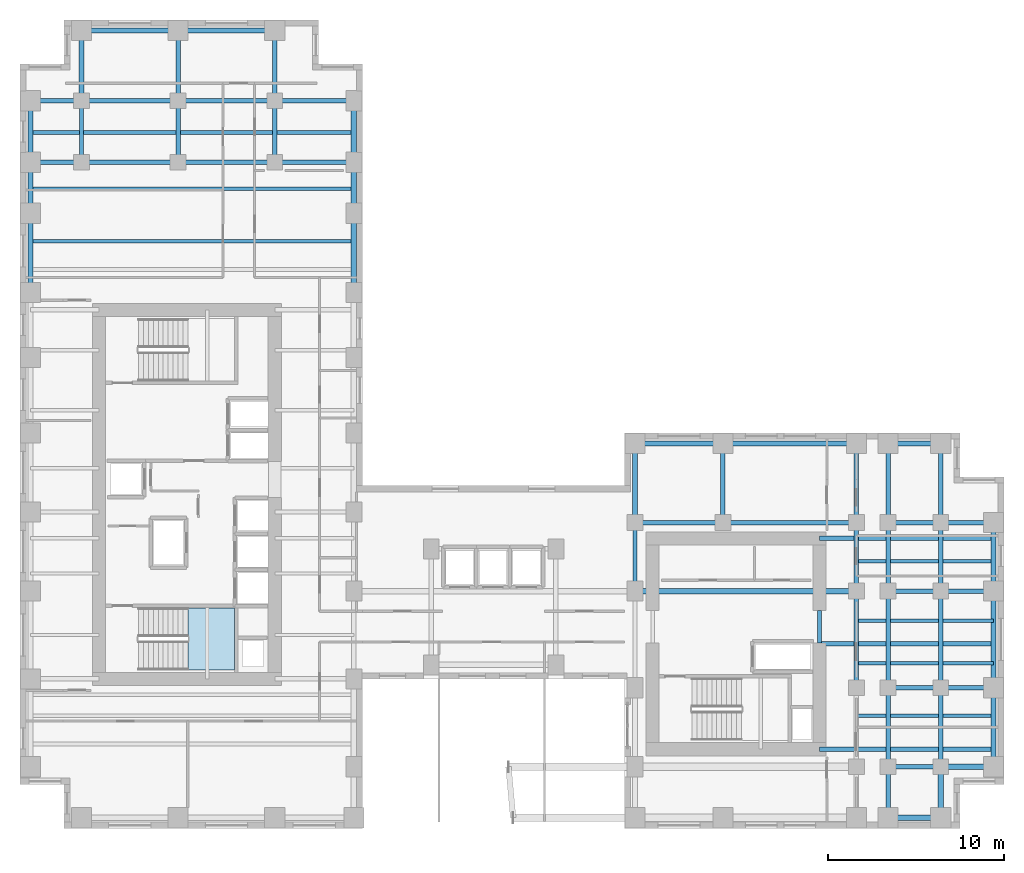
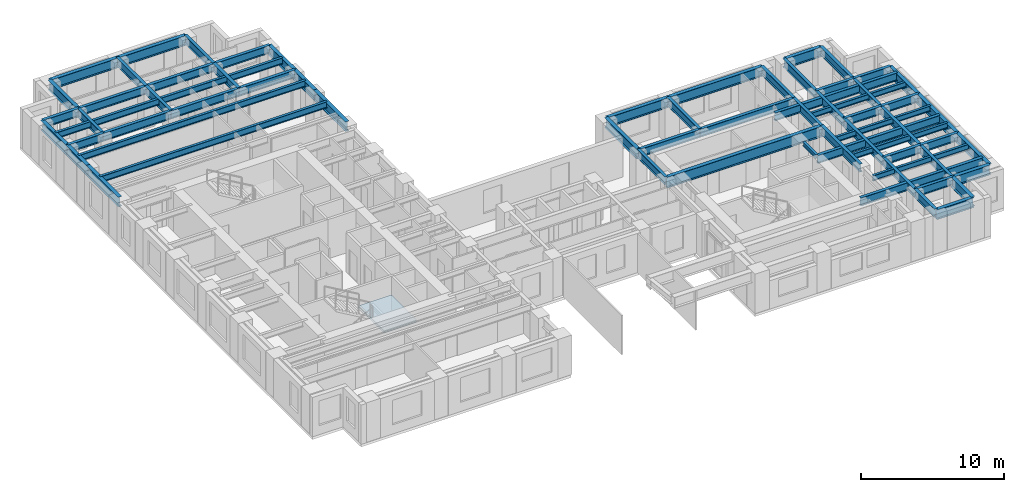
# One storey, part 4 of 14: 67 beams, 1 slab, 1 element without a shape of its own.
"""IFC4 building model written with IfcOpenShell, lengths in metres."""

from ifc_helpers import new_model, si_unit, direction, frame, origin, origin_2d, place, context, subcontext, project, spatial, polyline, i_section, outline, extrude, source, transform, mapped, material, layer, layer_set, material_profile, profile_set, type_object, element, aggregate, save


model = new_model("IFC4")

# Units and contexts
model_context = context("Model", 3, precision=1e-05, world=origin(), true_north=direction((0.0, 1.0)))
body_context = subcontext(model_context, "Body", "Model", "MODEL_VIEW")
ifc_project = project(units=[si_unit("LENGTHUNIT", "METRE"), si_unit("AREAUNIT", "SQUARE_METRE"), si_unit("VOLUMEUNIT", "CUBIC_METRE"), si_unit("PLANEANGLEUNIT", "RADIAN"), si_unit("MASSUNIT", "GRAM", prefix="KILO")], contexts=[model_context])

# Site, building, storey
site_placement = place(None, origin())
site = spatial("IfcSite", under=ifc_project, at=site_placement, CompositionType="ELEMENT")
building_placement = place(site_placement, origin())
building = spatial("IfcBuilding", under=site, at=building_placement, Name="Kharzan Plaza Tower", CompositionType="ELEMENT")
storey_placement = place(building_placement, frame((0.0, 0.0, 88.199951171875)))
storey = spatial("IfcBuildingStorey", under=building, at=storey_placement, Name="L23", CompositionType="ELEMENT", Elevation=88.199951171875)

# Beams
ifc_material_1 = material(Name="Steel S355", Category="steel")
ifc_material_profile_1 = material_profile(ifc_material_1, i_section(OverallWidth=0.205078125, OverallDepth=0.35400390625, WebThickness=0.009521484375, FlangeThickness=0.016845703125, at=origin_2d()), Name="W360x79")
ifc_profile_set_1 = profile_set([ifc_material_profile_1], Name="Steel S355")
beam_type_1 = type_object("IfcBeamType", Name="BM-LNT360", PredefinedType="LINTEL", material=ifc_profile_set_1)
shared_shape_1 = source(origin(), body_context, "Body", "SweptSolid", [
    extrude(i_section(OverallWidth=0.205078125, OverallDepth=0.35400390625, WebThickness=0.009521484375, FlangeThickness=0.016845703125, at=origin_2d()), origin(), (0.0, 0.0, 1.0), 1.849853515625),
])
beam_1_placement = place(storey_placement, frame((45.5, 10.550048828125, 3.203125), z_axis=(0.0, 1.0, 0.0), x_axis=(-1.0, 0.0, 0.0)))
element("IfcBeam", 1, at=beam_1_placement, inside=storey, type_object=beam_type_1, Name="L23 CORE-B coupling lintel LN1-WE", PredefinedType="LINTEL", context=body_context, shape_type="MappedRepresentation", body=[
    mapped(shared_shape_1, transform((0.0, 0.0, 0.0), x_axis=(1.0, 0.0, 0.0), y_axis=(0.0, 1.0, 0.0), z_axis=(0.0, 0.0, 1.0))),
])
ifc_material_profile_2 = material_profile(ifc_material_1, i_section(OverallWidth=0.304931640625, OverallDepth=0.9189453125, WebThickness=0.017333984375, FlangeThickness=0.02783203125, at=origin_2d()), Name="W920x253")
ifc_profile_set_2 = profile_set([ifc_material_profile_2], Name="Steel S355")
beam_type_2 = type_object("IfcBeamType", Name="BM-FG920B", PredefinedType="BEAM", material=ifc_profile_set_2)
shared_shape_2 = source(origin(), body_context, "Body", "SweptSolid", [
    extrude(i_section(OverallWidth=0.304931640625, OverallDepth=0.9189453125, WebThickness=0.017333984375, FlangeThickness=0.02783203125, at=origin_2d()), origin(), (0.0, 0.0, 1.0), 12.60009765625),
])
beam_2_placement = place(storey_placement, frame((35.0, 13.5, 2.920654296875), z_axis=(1.0, 0.0, 0.0), x_axis=(0.0, 1.0, 0.0)))
element("IfcBeam", 2, at=beam_2_placement, inside=storey, type_object=beam_type_2, Name="L23 Primary Floor Girder", PredefinedType="BEAM", context=body_context, shape_type="MappedRepresentation", body=[
    mapped(shared_shape_2, transform((0.0, 0.0, 0.0), x_axis=(1.0, 0.0, 0.0), y_axis=(0.0, 1.0, 0.0), z_axis=(0.0, 0.0, 1.0))),
])
ifc_material_profile_3 = material_profile(ifc_material_1, i_section(OverallWidth=0.2099609375, OverallDepth=0.537109375, WebThickness=0.010986328125, FlangeThickness=0.017333984375, at=origin_2d()), Name="W530x101")
ifc_profile_set_3 = profile_set([ifc_material_profile_3], Name="Steel S355")
beam_type_3 = type_object("IfcBeamType", Name="BM-JST530B", PredefinedType="JOIST", material=ifc_profile_set_3)
shared_shape_3 = source(origin(), body_context, "Body", "SweptSolid", [
    extrude(i_section(OverallWidth=0.2099609375, OverallDepth=0.537109375, WebThickness=0.010986328125, FlangeThickness=0.017333984375, at=origin_2d()), origin(), (0.0, 0.0, 1.0), 18.39990234375),
])
for number, where, z_axis, x_axis, name in (
    (3, (0.60009765625, 33.39990234375, 3.111572265625), (1.0, 0.0, 0.0), (0.0, 1.0, 0.0), "L23 Wing A Composite Joist 05"),
    (4, (0.60009765625, 36.39990234375, 3.111572265625), (1.0, 0.0, 0.0), (0.0, 1.0, 0.0), "L23 Wing A Composite Joist 06"),
    (5, (0.60009765625, 39.60009765625, 3.111572265625), (1.0, 0.0, 0.0), (0.0, 1.0, 0.0), "L23 Wing A Composite Joist 07"),
):
    element("IfcBeam", number, at=place(storey_placement, frame(where, z_axis=z_axis, x_axis=x_axis)), inside=storey, type_object=beam_type_3, Name=name, PredefinedType="JOIST", context=body_context, shape_type="MappedRepresentation", body=[
        mapped(shared_shape_3, transform((0.0, 0.0, 0.0), x_axis=(1.0, 0.0, 0.0), y_axis=(0.0, 1.0, 0.0), z_axis=(0.0, 0.0, 1.0))),
    ])
ifc_material_profile_4 = material_profile(ifc_material_1, i_section(OverallWidth=0.25390625, OverallDepth=0.68798828125, WebThickness=0.01318359375, FlangeThickness=0.02099609375, at=origin_2d()), Name="W690x152")
ifc_profile_set_4 = profile_set([ifc_material_profile_4], Name="Steel S355")
beam_type_4 = type_object("IfcBeamType", Name="BM-FG690B", PredefinedType="BEAM", material=ifc_profile_set_4)
shared_shape_4 = source(origin(), body_context, "Body", "SweptSolid", [
    extrude(i_section(OverallWidth=0.25390625, OverallDepth=0.68798828125, WebThickness=0.01318359375, FlangeThickness=0.02099609375, at=origin_2d()), origin(), (0.0, 0.0, 1.0), 4.5),
])
for number, where, z_axis, x_axis, name in (
    (6, (40.0, 17.39990234375, 3.0361328125), (0.0, 1.0, 0.0), (-1.0, 0.0, 0.0), "L23 Interior Frame Girder"),
    (7, (47.60009765625, 17.39990234375, 3.0361328125), (0.0, 1.0, 0.0), (-1.0, 0.0, 0.0), "L23 Interior Frame Girder"),
    (8, (49.39990234375, 3.5, 3.0361328125), (0.0, 1.0, 0.0), (-1.0, 0.0, 0.0), "L23 Interior Frame Girder"),
    (9, (49.39990234375, 17.39990234375, 3.0361328125), (0.0, 1.0, 0.0), (-1.0, 0.0, 0.0), "L23 Interior Frame Girder"),
    (10, (52.39990234375, 3.5, 3.0361328125), (0.0, 1.0, 0.0), (-1.0, 0.0, 0.0), "L23 Interior Frame Girder"),
    (11, (52.39990234375, 17.39990234375, 3.0361328125), (0.0, 1.0, 0.0), (-1.0, 0.0, 0.0), "L23 Interior Frame Girder"),
    (12, (14.5, 37.89990234375, 3.0361328125), (1.0, 0.0, 0.0), (0.0, 1.0, 0.0), "L23 Primary Floor Girder"),
    (13, (14.5, 41.39990234375, 3.0361328125), (1.0, 0.0, 0.0), (0.0, 1.0, 0.0), "L23 Primary Floor Girder"),
):
    element("IfcBeam", number, at=place(storey_placement, frame(where, z_axis=z_axis, x_axis=x_axis)), inside=storey, type_object=beam_type_4, Name=name, PredefinedType="BEAM", context=body_context, shape_type="MappedRepresentation", body=[
        mapped(shared_shape_4, transform((0.0, 0.0, 0.0), x_axis=(1.0, 0.0, 0.0), y_axis=(0.0, 1.0, 0.0), z_axis=(0.0, 0.0, 1.0))),
    ])
shared_shape_5 = source(origin(), body_context, "Body", "SweptSolid", [
    extrude(i_section(OverallWidth=0.25390625, OverallDepth=0.68798828125, WebThickness=0.01318359375, FlangeThickness=0.02099609375, at=origin_2d()), origin(), (0.0, 0.0, 1.0), 3.89990234375),
])
for number, where, z_axis, x_axis, name in (
    (14, (35.0, 13.5, 3.0361328125), (0.0, 1.0, 0.0), (-1.0, 0.0, 0.0), "L23 Interior Frame Girder"),
    (15, (47.60009765625, 13.5, 3.0361328125), (0.0, 1.0, 0.0), (-1.0, 0.0, 0.0), "L23 Interior Frame Girder"),
    (16, (49.39990234375, 13.5, 3.0361328125), (0.0, 1.0, 0.0), (-1.0, 0.0, 0.0), "L23 Interior Frame Girder"),
    (17, (52.39990234375, 13.5, 3.0361328125), (0.0, 1.0, 0.0), (-1.0, 0.0, 0.0), "L23 Interior Frame Girder"),
):
    element("IfcBeam", number, at=place(storey_placement, frame(where, z_axis=z_axis, x_axis=x_axis)), inside=storey, type_object=beam_type_4, Name=name, PredefinedType="BEAM", context=body_context, shape_type="MappedRepresentation", body=[
        mapped(shared_shape_5, transform((0.0, 0.0, 0.0), x_axis=(1.0, 0.0, 0.0), y_axis=(0.0, 1.0, 0.0), z_axis=(0.0, 0.0, 1.0))),
    ])
shared_shape_6 = source(origin(), body_context, "Body", "SweptSolid", [
    extrude(i_section(OverallWidth=0.25390625, OverallDepth=0.68798828125, WebThickness=0.01318359375, FlangeThickness=0.02099609375, at=origin_2d()), origin(), (0.0, 0.0, 1.0), 9.89990234375),
])
for number, where, z_axis, x_axis, name in (
    (18, (45.5, 4.5, 3.0361328125), (1.0, 0.0, 0.0), (0.0, 1.0, 0.0), "L23 Core-B East Floor Girder 1"),
    (19, (45.5, 10.5, 3.0361328125), (1.0, 0.0, 0.0), (0.0, 1.0, 0.0), "L23 Core-B East Floor Girder 2"),
    (20, (45.5, 16.5, 3.0361328125), (1.0, 0.0, 0.0), (0.0, 1.0, 0.0), "L23 Core-B East Floor Girder 3"),
):
    element("IfcBeam", number, at=place(storey_placement, frame(where, z_axis=z_axis, x_axis=x_axis)), inside=storey, type_object=beam_type_4, Name=name, PredefinedType="BEAM", context=body_context, shape_type="MappedRepresentation", body=[
        mapped(shared_shape_6, transform((0.0, 0.0, 0.0), x_axis=(1.0, 0.0, 0.0), y_axis=(0.0, 1.0, 0.0), z_axis=(0.0, 0.0, 1.0))),
    ])
shared_shape_7 = source(origin(), body_context, "Body", "SweptSolid", [
    extrude(i_section(OverallWidth=0.25390625, OverallDepth=0.68798828125, WebThickness=0.01318359375, FlangeThickness=0.02099609375, at=origin_2d()), origin(), (0.0, 0.0, 1.0), 3.5),
])
for number, where, z_axis, x_axis, name in (
    (21, (3.5, 37.89990234375, 3.0361328125), (0.0, 1.0, 0.0), (-1.0, 0.0, 0.0), "L23 Interior Frame Girder"),
    (22, (9.0, 37.89990234375, 3.0361328125), (0.0, 1.0, 0.0), (-1.0, 0.0, 0.0), "L23 Interior Frame Girder"),
    (23, (14.5, 37.89990234375, 3.0361328125), (0.0, 1.0, 0.0), (-1.0, 0.0, 0.0), "L23 Interior Frame Girder"),
):
    element("IfcBeam", number, at=place(storey_placement, frame(where, z_axis=z_axis, x_axis=x_axis)), inside=storey, type_object=beam_type_4, Name=name, PredefinedType="BEAM", context=body_context, shape_type="MappedRepresentation", body=[
        mapped(shared_shape_7, transform((0.0, 0.0, 0.0), x_axis=(1.0, 0.0, 0.0), y_axis=(0.0, 1.0, 0.0), z_axis=(0.0, 0.0, 1.0))),
    ])
shared_shape_8 = source(origin(), body_context, "Body", "SweptSolid", [
    extrude(i_section(OverallWidth=0.25390625, OverallDepth=0.68798828125, WebThickness=0.01318359375, FlangeThickness=0.02099609375, at=origin_2d()), origin(), (0.0, 0.0, 1.0), 4.0),
])
for number, where, z_axis, x_axis, name in (
    (24, (9.0, 41.39990234375, 3.0361328125), (0.0, 1.0, 0.0), (-1.0, 0.0, 0.0), "L23 Interior Frame Girder"),
    (25, (14.5, 41.39990234375, 3.0361328125), (0.0, 1.0, 0.0), (-1.0, 0.0, 0.0), "L23 Interior Frame Girder"),
):
    element("IfcBeam", number, at=place(storey_placement, frame(where, z_axis=z_axis, x_axis=x_axis)), inside=storey, type_object=beam_type_4, Name=name, PredefinedType="BEAM", context=body_context, shape_type="MappedRepresentation", body=[
        mapped(shared_shape_8, transform((0.0, 0.0, 0.0), x_axis=(1.0, 0.0, 0.0), y_axis=(0.0, 1.0, 0.0), z_axis=(0.0, 0.0, 1.0))),
    ])
shared_shape_9 = source(origin(), body_context, "Body", "SweptSolid", [
    extrude(i_section(OverallWidth=0.25390625, OverallDepth=0.68798828125, WebThickness=0.01318359375, FlangeThickness=0.02099609375, at=origin_2d()), origin(), (0.0, 0.0, 1.0), 5.0),
])
beam_3_placement = place(storey_placement, frame((35.0, 17.39990234375, 3.0361328125), z_axis=(1.0, 0.0, 0.0), x_axis=(0.0, 1.0, 0.0)))
element("IfcBeam", 26, at=beam_3_placement, inside=storey, type_object=beam_type_4, Name="L23 Primary Floor Girder", PredefinedType="BEAM", context=body_context, shape_type="MappedRepresentation", body=[
    mapped(shared_shape_9, transform((0.0, 0.0, 0.0), x_axis=(1.0, 0.0, 0.0), y_axis=(0.0, 1.0, 0.0), z_axis=(0.0, 0.0, 1.0))),
])
shared_shape_10 = source(origin(), body_context, "Body", "SweptSolid", [
    extrude(i_section(OverallWidth=0.25390625, OverallDepth=0.68798828125, WebThickness=0.01318359375, FlangeThickness=0.02099609375, at=origin_2d()), origin(), (0.0, 0.0, 1.0), 5.5),
])
for number, where, z_axis, x_axis, name in (
    (27, (47.60009765625, 8.0, 3.0361328125), (0.0, 1.0, 0.0), (-1.0, 0.0, 0.0), "L23 Interior Frame Girder"),
    (28, (49.39990234375, 8.0, 3.0361328125), (0.0, 1.0, 0.0), (-1.0, 0.0, 0.0), "L23 Interior Frame Girder"),
    (29, (52.39990234375, 8.0, 3.0361328125), (0.0, 1.0, 0.0), (-1.0, 0.0, 0.0), "L23 Interior Frame Girder"),
    (30, (3.5, 37.89990234375, 3.0361328125), (1.0, 0.0, 0.0), (0.0, 1.0, 0.0), "L23 Primary Floor Girder"),
    (31, (9.0, 37.89990234375, 3.0361328125), (1.0, 0.0, 0.0), (0.0, 1.0, 0.0), "L23 Primary Floor Girder"),
    (32, (3.5, 41.39990234375, 3.0361328125), (1.0, 0.0, 0.0), (0.0, 1.0, 0.0), "L23 Primary Floor Girder"),
    (33, (9.0, 41.39990234375, 3.0361328125), (1.0, 0.0, 0.0), (0.0, 1.0, 0.0), "L23 Primary Floor Girder"),
):
    element("IfcBeam", number, at=place(storey_placement, frame(where, z_axis=z_axis, x_axis=x_axis)), inside=storey, type_object=beam_type_4, Name=name, PredefinedType="BEAM", context=body_context, shape_type="MappedRepresentation", body=[
        mapped(shared_shape_10, transform((0.0, 0.0, 0.0), x_axis=(1.0, 0.0, 0.0), y_axis=(0.0, 1.0, 0.0), z_axis=(0.0, 0.0, 1.0))),
    ])
shared_shape_11 = source(origin(), body_context, "Body", "SweptSolid", [
    extrude(i_section(OverallWidth=0.25390625, OverallDepth=0.68798828125, WebThickness=0.01318359375, FlangeThickness=0.02099609375, at=origin_2d()), origin(), (0.0, 0.0, 1.0), 2.89990234375),
])
for number, where, z_axis, x_axis, name in (
    (34, (49.39990234375, 0.60009765625, 3.0361328125), (0.0, 1.0, 0.0), (-1.0, 0.0, 0.0), "L23 Interior Frame Girder"),
    (35, (0.60009765625, 37.89990234375, 3.0361328125), (1.0, 0.0, 0.0), (0.0, 1.0, 0.0), "L23 Primary Floor Girder"),
    (36, (0.60009765625, 41.39990234375, 3.0361328125), (1.0, 0.0, 0.0), (0.0, 1.0, 0.0), "L23 Primary Floor Girder"),
):
    element("IfcBeam", number, at=place(storey_placement, frame(where, z_axis=z_axis, x_axis=x_axis)), inside=storey, type_object=beam_type_4, Name=name, PredefinedType="BEAM", context=body_context, shape_type="MappedRepresentation", body=[
        mapped(shared_shape_11, transform((0.0, 0.0, 0.0), x_axis=(1.0, 0.0, 0.0), y_axis=(0.0, 1.0, 0.0), z_axis=(0.0, 0.0, 1.0))),
    ])
shared_shape_12 = source(origin(), body_context, "Body", "SweptSolid", [
    extrude(i_section(OverallWidth=0.25390625, OverallDepth=0.68798828125, WebThickness=0.01318359375, FlangeThickness=0.02099609375, at=origin_2d()), origin(), (0.0, 0.0, 1.0), 3.0),
])
for number, where, z_axis, x_axis, name in (
    (37, (49.39990234375, 3.5, 3.0361328125), (1.0, 0.0, 0.0), (0.0, 1.0, 0.0), "L23 Primary Floor Girder"),
    (38, (49.39990234375, 8.0, 3.0361328125), (1.0, 0.0, 0.0), (0.0, 1.0, 0.0), "L23 Primary Floor Girder"),
    (39, (52.39990234375, 8.0, 3.0361328125), (1.0, 0.0, 0.0), (0.0, 1.0, 0.0), "L23 Primary Floor Girder"),
    (40, (49.39990234375, 13.5, 3.0361328125), (1.0, 0.0, 0.0), (0.0, 1.0, 0.0), "L23 Primary Floor Girder"),
    (41, (52.39990234375, 13.5, 3.0361328125), (1.0, 0.0, 0.0), (0.0, 1.0, 0.0), "L23 Primary Floor Girder"),
    (42, (49.39990234375, 17.39990234375, 3.0361328125), (1.0, 0.0, 0.0), (0.0, 1.0, 0.0), "L23 Primary Floor Girder"),
    (43, (52.39990234375, 17.39990234375, 3.0361328125), (1.0, 0.0, 0.0), (0.0, 1.0, 0.0), "L23 Primary Floor Girder"),
):
    element("IfcBeam", number, at=place(storey_placement, frame(where, z_axis=z_axis, x_axis=x_axis)), inside=storey, type_object=beam_type_4, Name=name, PredefinedType="BEAM", context=body_context, shape_type="MappedRepresentation", body=[
        mapped(shared_shape_12, transform((0.0, 0.0, 0.0), x_axis=(1.0, 0.0, 0.0), y_axis=(0.0, 1.0, 0.0), z_axis=(0.0, 0.0, 1.0))),
    ])
shared_shape_13 = source(origin(), body_context, "Body", "SweptSolid", [
    extrude(i_section(OverallWidth=0.25390625, OverallDepth=0.68798828125, WebThickness=0.01318359375, FlangeThickness=0.02099609375, at=origin_2d()), origin(), (0.0, 0.0, 1.0), 7.60009765625),
])
beam_4_placement = place(storey_placement, frame((40.0, 17.39990234375, 3.0361328125), z_axis=(1.0, 0.0, 0.0), x_axis=(0.0, 1.0, 0.0)))
element("IfcBeam", 44, at=beam_4_placement, inside=storey, type_object=beam_type_4, Name="L23 Primary Floor Girder", PredefinedType="BEAM", context=body_context, shape_type="MappedRepresentation", body=[
    mapped(shared_shape_13, transform((0.0, 0.0, 0.0), x_axis=(1.0, 0.0, 0.0), y_axis=(0.0, 1.0, 0.0), z_axis=(0.0, 0.0, 1.0))),
])
ifc_material_profile_5 = material_profile(ifc_material_1, i_section(OverallWidth=0.194091796875, OverallDepth=0.468994140625, WebThickness=0.011474609375, FlangeThickness=0.0205078125, at=origin_2d()), Name="W460x106")
ifc_profile_set_5 = profile_set([ifc_material_profile_5], Name="Steel S355")
beam_type_5 = type_object("IfcBeamType", Name="BM-JST460", PredefinedType="JOIST", material=ifc_profile_set_5)
shared_shape_14 = source(origin(), body_context, "Body", "SweptSolid", [
    extrude(i_section(OverallWidth=0.194091796875, OverallDepth=0.468994140625, WebThickness=0.011474609375, FlangeThickness=0.0205078125, at=origin_2d()), origin(), (0.0, 0.0, 1.0), 7.7998046875),
])
for number, where, z_axis, x_axis, name in (
    (45, (47.60009765625, 6.39990234375, 3.1455078125), (1.0, 0.0, 0.0), (0.0, 1.0, 0.0), "L23 Wing B Composite Joist 02"),
    (46, (47.60009765625, 9.39990234375, 3.1455078125), (1.0, 0.0, 0.0), (0.0, 1.0, 0.0), "L23 Wing B Composite Joist 03"),
    (47, (47.60009765625, 11.800048828125, 3.1455078125), (1.0, 0.0, 0.0), (0.0, 1.0, 0.0), "L23 Wing B Composite Joist 04"),
    (48, (47.60009765625, 15.199951171875, 3.1455078125), (1.0, 0.0, 0.0), (0.0, 1.0, 0.0), "L23 Wing B Composite Joist 05"),
):
    element("IfcBeam", number, at=place(storey_placement, frame(where, z_axis=z_axis, x_axis=x_axis)), inside=storey, type_object=beam_type_5, Name=name, PredefinedType="JOIST", context=body_context, shape_type="MappedRepresentation", body=[
        mapped(shared_shape_14, transform((0.0, 0.0, 0.0), x_axis=(1.0, 0.0, 0.0), y_axis=(0.0, 1.0, 0.0), z_axis=(0.0, 0.0, 1.0))),
    ])
ifc_material_profile_6 = material_profile(ifc_material_1, i_section(OverallWidth=0.299072265625, OverallDepth=0.845947265625, WebThickness=0.015380859375, FlangeThickness=0.0244140625, at=origin_2d()), Name="W840x210")
ifc_profile_set_6 = profile_set([ifc_material_profile_6], Name="Steel S355")
beam_type_6 = type_object("IfcBeamType", Name="BM-SP840B", PredefinedType="SPANDREL", material=ifc_profile_set_6)
shared_shape_15 = source(origin(), body_context, "Body", "SweptSolid", [
    extrude(i_section(OverallWidth=0.299072265625, OverallDepth=0.845947265625, WebThickness=0.015380859375, FlangeThickness=0.0244140625, at=origin_2d()), origin(), (0.0, 0.0, 1.0), 5.0),
])
beam_5_placement = place(storey_placement, frame((35.0, 21.89990234375, 2.95703125), z_axis=(1.0, 0.0, 0.0), x_axis=(0.0, 1.0, 0.0)))
element("IfcBeam", 49, at=beam_5_placement, inside=storey, type_object=beam_type_6, Name="L23 Perimeter Tube Spandrel", PredefinedType="SPANDREL", context=body_context, shape_type="MappedRepresentation", body=[
    mapped(shared_shape_15, transform((0.0, 0.0, 0.0), x_axis=(1.0, 0.0, 0.0), y_axis=(0.0, 1.0, 0.0), z_axis=(0.0, 0.0, 1.0))),
])
shared_shape_16 = source(origin(), body_context, "Body", "SweptSolid", [
    extrude(i_section(OverallWidth=0.299072265625, OverallDepth=0.845947265625, WebThickness=0.015380859375, FlangeThickness=0.0244140625, at=origin_2d()), origin(), (0.0, 0.0, 1.0), 4.5),
])
for number, where, z_axis, x_axis, name in (
    (50, (0.60009765625, 30.5, 2.95703125), (0.0, 1.0, 0.0), (-1.0, 0.0, 0.0), "L23 Perimeter Tube Spandrel"),
    (51, (19.0, 30.5, 2.95703125), (0.0, 1.0, 0.0), (-1.0, 0.0, 0.0), "L23 Perimeter Tube Spandrel"),
    (52, (35.0, 17.39990234375, 2.95703125), (0.0, 1.0, 0.0), (-1.0, 0.0, 0.0), "L23 Perimeter Tube Spandrel"),
    (53, (55.39990234375, 3.5, 2.95703125), (0.0, 1.0, 0.0), (-1.0, 0.0, 0.0), "L23 Perimeter Tube Spandrel"),
):
    element("IfcBeam", number, at=place(storey_placement, frame(where, z_axis=z_axis, x_axis=x_axis)), inside=storey, type_object=beam_type_6, Name=name, PredefinedType="SPANDREL", context=body_context, shape_type="MappedRepresentation", body=[
        mapped(shared_shape_16, transform((0.0, 0.0, 0.0), x_axis=(1.0, 0.0, 0.0), y_axis=(0.0, 1.0, 0.0), z_axis=(0.0, 0.0, 1.0))),
    ])
shared_shape_17 = source(origin(), body_context, "Body", "SweptSolid", [
    extrude(i_section(OverallWidth=0.299072265625, OverallDepth=0.845947265625, WebThickness=0.015380859375, FlangeThickness=0.0244140625, at=origin_2d()), origin(), (0.0, 0.0, 1.0), 2.89990234375),
])
for number, where, z_axis, x_axis, name in (
    (54, (0.60009765625, 35.0, 2.95703125), (0.0, 1.0, 0.0), (-1.0, 0.0, 0.0), "L23 Perimeter Tube Spandrel"),
    (55, (19.0, 35.0, 2.95703125), (0.0, 1.0, 0.0), (-1.0, 0.0, 0.0), "L23 Perimeter Tube Spandrel"),
    (56, (52.39990234375, 0.60009765625, 2.95703125), (0.0, 1.0, 0.0), (-1.0, 0.0, 0.0), "L23 Perimeter Tube Spandrel"),
):
    element("IfcBeam", number, at=place(storey_placement, frame(where, z_axis=z_axis, x_axis=x_axis)), inside=storey, type_object=beam_type_6, Name=name, PredefinedType="SPANDREL", context=body_context, shape_type="MappedRepresentation", body=[
        mapped(shared_shape_17, transform((0.0, 0.0, 0.0), x_axis=(1.0, 0.0, 0.0), y_axis=(0.0, 1.0, 0.0), z_axis=(0.0, 0.0, 1.0))),
    ])
shared_shape_18 = source(origin(), body_context, "Body", "SweptSolid", [
    extrude(i_section(OverallWidth=0.299072265625, OverallDepth=0.845947265625, WebThickness=0.015380859375, FlangeThickness=0.0244140625, at=origin_2d()), origin(), (0.0, 0.0, 1.0), 3.5),
])
for number, where, z_axis, x_axis, name in (
    (57, (0.60009765625, 37.89990234375, 2.95703125), (0.0, 1.0, 0.0), (-1.0, 0.0, 0.0), "L23 Perimeter Tube Spandrel"),
    (58, (19.0, 37.89990234375, 2.95703125), (0.0, 1.0, 0.0), (-1.0, 0.0, 0.0), "L23 Perimeter Tube Spandrel"),
):
    element("IfcBeam", number, at=place(storey_placement, frame(where, z_axis=z_axis, x_axis=x_axis)), inside=storey, type_object=beam_type_6, Name=name, PredefinedType="SPANDREL", context=body_context, shape_type="MappedRepresentation", body=[
        mapped(shared_shape_18, transform((0.0, 0.0, 0.0), x_axis=(1.0, 0.0, 0.0), y_axis=(0.0, 1.0, 0.0), z_axis=(0.0, 0.0, 1.0))),
    ])
shared_shape_19 = source(origin(), body_context, "Body", "SweptSolid", [
    extrude(i_section(OverallWidth=0.299072265625, OverallDepth=0.845947265625, WebThickness=0.015380859375, FlangeThickness=0.0244140625, at=origin_2d()), origin(), (0.0, 0.0, 1.0), 4.0),
])
beam_6_placement = place(storey_placement, frame((3.5, 41.39990234375, 2.95703125), z_axis=(0.0, 1.0, 0.0), x_axis=(-1.0, 0.0, 0.0)))
element("IfcBeam", 59, at=beam_6_placement, inside=storey, type_object=beam_type_6, Name="L23 Perimeter Tube Spandrel", PredefinedType="SPANDREL", context=body_context, shape_type="MappedRepresentation", body=[
    mapped(shared_shape_19, transform((0.0, 0.0, 0.0), x_axis=(1.0, 0.0, 0.0), y_axis=(0.0, 1.0, 0.0), z_axis=(0.0, 0.0, 1.0))),
])
shared_shape_20 = source(origin(), body_context, "Body", "SweptSolid", [
    extrude(i_section(OverallWidth=0.299072265625, OverallDepth=0.845947265625, WebThickness=0.015380859375, FlangeThickness=0.0244140625, at=origin_2d()), origin(), (0.0, 0.0, 1.0), 5.5),
])
for number, where, z_axis, x_axis, name in (
    (60, (55.39990234375, 8.0, 2.95703125), (0.0, 1.0, 0.0), (-1.0, 0.0, 0.0), "L23 Perimeter Tube Spandrel"),
    (61, (3.5, 45.39990234375, 2.95703125), (1.0, 0.0, 0.0), (0.0, 1.0, 0.0), "L23 Perimeter Tube Spandrel"),
    (62, (9.0, 45.39990234375, 2.95703125), (1.0, 0.0, 0.0), (0.0, 1.0, 0.0), "L23 Perimeter Tube Spandrel"),
):
    element("IfcBeam", number, at=place(storey_placement, frame(where, z_axis=z_axis, x_axis=x_axis)), inside=storey, type_object=beam_type_6, Name=name, PredefinedType="SPANDREL", context=body_context, shape_type="MappedRepresentation", body=[
        mapped(shared_shape_20, transform((0.0, 0.0, 0.0), x_axis=(1.0, 0.0, 0.0), y_axis=(0.0, 1.0, 0.0), z_axis=(0.0, 0.0, 1.0))),
    ])
shared_shape_21 = source(origin(), body_context, "Body", "SweptSolid", [
    extrude(i_section(OverallWidth=0.299072265625, OverallDepth=0.845947265625, WebThickness=0.015380859375, FlangeThickness=0.0244140625, at=origin_2d()), origin(), (0.0, 0.0, 1.0), 3.89990234375),
])
beam_7_placement = place(storey_placement, frame((55.39990234375, 13.5, 2.95703125), z_axis=(0.0, 1.0, 0.0), x_axis=(-1.0, 0.0, 0.0)))
element("IfcBeam", 63, at=beam_7_placement, inside=storey, type_object=beam_type_6, Name="L23 Perimeter Tube Spandrel", PredefinedType="SPANDREL", context=body_context, shape_type="MappedRepresentation", body=[
    mapped(shared_shape_21, transform((0.0, 0.0, 0.0), x_axis=(1.0, 0.0, 0.0), y_axis=(0.0, 1.0, 0.0), z_axis=(0.0, 0.0, 1.0))),
])
shared_shape_22 = source(origin(), body_context, "Body", "SweptSolid", [
    extrude(i_section(OverallWidth=0.299072265625, OverallDepth=0.845947265625, WebThickness=0.015380859375, FlangeThickness=0.0244140625, at=origin_2d()), origin(), (0.0, 0.0, 1.0), 7.60009765625),
])
beam_8_placement = place(storey_placement, frame((40.0, 21.89990234375, 2.95703125), z_axis=(1.0, 0.0, 0.0), x_axis=(0.0, 1.0, 0.0)))
element("IfcBeam", 64, at=beam_8_placement, inside=storey, type_object=beam_type_6, Name="L23 Perimeter Tube Spandrel", PredefinedType="SPANDREL", context=body_context, shape_type="MappedRepresentation", body=[
    mapped(shared_shape_22, transform((0.0, 0.0, 0.0), x_axis=(1.0, 0.0, 0.0), y_axis=(0.0, 1.0, 0.0), z_axis=(0.0, 0.0, 1.0))),
])
shared_shape_23 = source(origin(), body_context, "Body", "SweptSolid", [
    extrude(i_section(OverallWidth=0.299072265625, OverallDepth=0.845947265625, WebThickness=0.015380859375, FlangeThickness=0.0244140625, at=origin_2d()), origin(), (0.0, 0.0, 1.0), 3.0),
])
for number, where, z_axis, x_axis, name in (
    (65, (49.39990234375, 0.60009765625, 2.95703125), (1.0, 0.0, 0.0), (0.0, 1.0, 0.0), "L23 Perimeter Tube Spandrel"),
    (66, (52.39990234375, 3.5, 2.95703125), (1.0, 0.0, 0.0), (0.0, 1.0, 0.0), "L23 Perimeter Tube Spandrel"),
    (67, (49.39990234375, 21.89990234375, 2.95703125), (1.0, 0.0, 0.0), (0.0, 1.0, 0.0), "L23 Perimeter Tube Spandrel"),
):
    element("IfcBeam", number, at=place(storey_placement, frame(where, z_axis=z_axis, x_axis=x_axis)), inside=storey, type_object=beam_type_6, Name=name, PredefinedType="SPANDREL", context=body_context, shape_type="MappedRepresentation", body=[
        mapped(shared_shape_23, transform((0.0, 0.0, 0.0), x_axis=(1.0, 0.0, 0.0), y_axis=(0.0, 1.0, 0.0), z_axis=(0.0, 0.0, 1.0))),
    ])

# Stair, slab
ifc_material_2 = material(Name="Concrete C40/50", Category="concrete")
stair_type = type_object("IfcStairType", Name="STR-ST-1", PredefinedType="HALF_TURN_STAIR", material=ifc_material_2)
stair_placement = place(storey_placement, origin())
stair = element("IfcStair", 68, at=stair_placement, inside=storey, type_object=stair_type, Name="L23 Protected Exit Stair ST-1", PredefinedType="HALF_TURN_STAIR")
ifc_layer = layer(ifc_material_2, 0.219970703125)
ifc_layer_set = layer_set([ifc_layer], Name="Concrete C40/50")
slab_type = type_object("IfcSlabType", Name="SL-LANDING-220", PredefinedType="LANDING", material=ifc_layer_set)
slab_placement = place(storey_placement, frame((0.0, 0.0, 1.60009765625)))
slab = element("IfcSlab", 69, at=slab_placement, type_object=slab_type, Name="ST-1 landing 1", PredefinedType="LANDING", context=body_context, shape_type="SweptSolid", body=[
    extrude(outline(polyline([(9.550048828125, 9.0), (12.199951171875, 9.0), (12.199951171875, 12.550048828125), (9.550048828125, 12.550048828125), (9.550048828125, 9.0)])), origin(), (0.0, 0.0, 1.0), 0.199951171875),
])
aggregate(stair, [slab])

save(model, "model.ifc")
